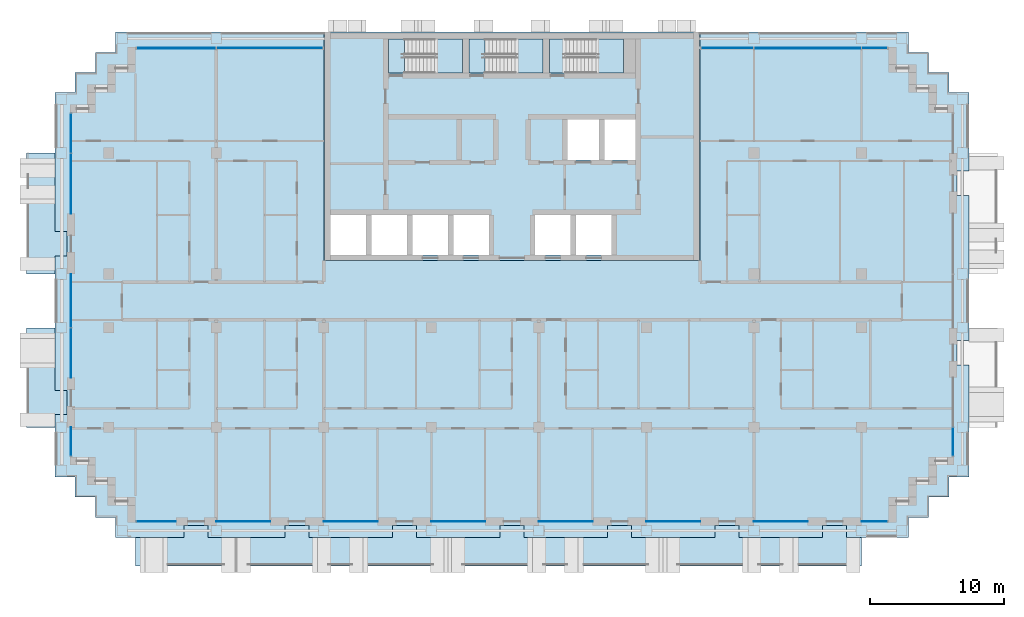
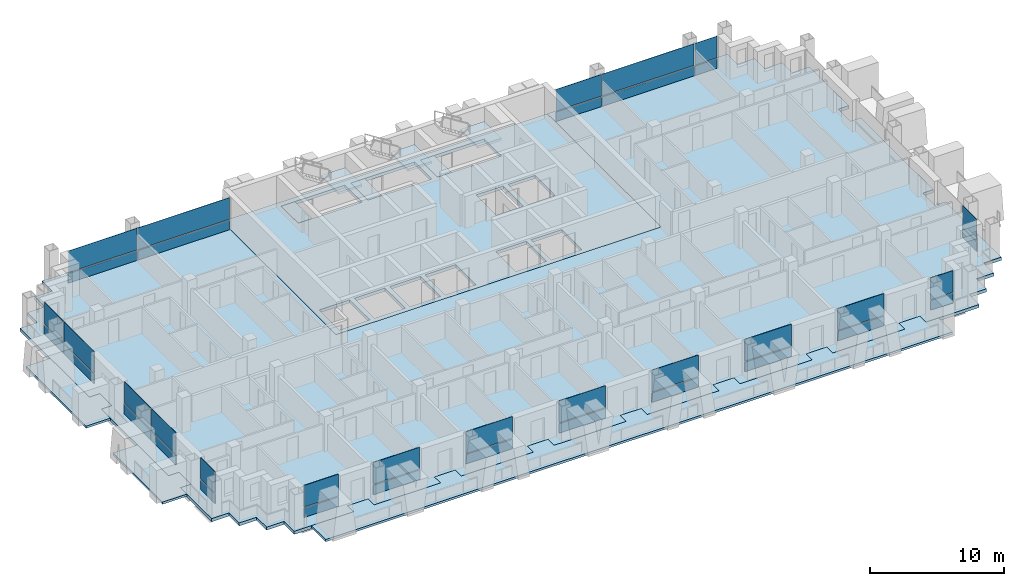
# One storey, part 6 of 18: 38 plates, 11 slabs, 17 elements without a shape of their own.
"""IFC4 building model written with IfcOpenShell, lengths in metres."""

from ifc_helpers import new_model, si_unit, direction, frame, origin, origin_2d, place, context, subcontext, project, spatial, polyline, rectangle, outline, extrude, material, layer, layer_set, type_object, element, aggregate, save


model = new_model("IFC4")

# Units and contexts
model_context = context("Model", 3, precision=1e-05, world=origin(), true_north=direction((0.0, 1.0)))
body_context = subcontext(model_context, "Body", "Model", "MODEL_VIEW")
ifc_project = project(units=[si_unit("LENGTHUNIT", "METRE"), si_unit("AREAUNIT", "SQUARE_METRE"), si_unit("VOLUMEUNIT", "CUBIC_METRE"), si_unit("PLANEANGLEUNIT", "RADIAN"), si_unit("MASSUNIT", "GRAM", prefix="KILO")], contexts=[model_context])

# Site, building, storey
site_placement = place(None, origin())
site = spatial("IfcSite", under=ifc_project, at=site_placement, CompositionType="ELEMENT")
building_placement = place(site_placement, origin())
building = spatial("IfcBuilding", under=site, at=building_placement, Name="Vidyagriha Tower", CompositionType="ELEMENT")
storey_placement = place(building_placement, frame((0.0, 0.0, 123.0)))
storey = spatial("IfcBuildingStorey", under=building, at=storey_placement, Name="L31", CompositionType="ELEMENT", Elevation=123.0)

# Curtain wall, plates
ifc_material_1 = material(Name="Aluminium and glass curtain wall", Category="aluminium")
curtain_wall_type = type_object("IfcCurtainWallType", Name="Dwelling skin unitised curtain wall", PredefinedType="USERDEFINED", material=ifc_material_1)
curtain_wall_1_placement = place(storey_placement, origin())
curtain_wall_1 = element("IfcCurtainWall", 1, at=curtain_wall_1_placement, inside=storey, type_object=curtain_wall_type, Name="CW1 dwelling skin", ObjectType="UNITISED", PredefinedType="USERDEFINED")
ifc_material_2 = material(Name="Glass dark ceramic-fritted spandrel", Category="glass")
ifc_layer_1 = layer(ifc_material_2, 0.0400390625)
ifc_layer_set_1 = layer_set([ifc_layer_1], Name="Glass dark ceramic-fritted spandrel")
plate_type_1 = type_object("IfcPlateType", Name="Ceramic-fritted spandrel panel", PredefinedType="CURTAIN_PANEL", material=ifc_layer_set_1)
plate_1_placement = place(storey_placement, frame((26.982421875, 18.800048828125, 0.0), z_axis=(0.0, 0.0, 1.0), x_axis=(-1.0, 0.0, 0.0)))
plate_1 = element("IfcPlate", 2, at=plate_1_placement, type_object=plate_type_1, Name="CW1 panel 1.1", PredefinedType="CURTAIN_PANEL", context=body_context, shape_type="SweptSolid", body=[
    extrude(rectangle(XDim=1.89501953125, YDim=0.0400390625, at=origin_2d()), origin(), (0.0, 0.0, 1.0), 0.85009765625),
])
plate_2_placement = place(storey_placement, frame((16.017578125, 18.800048828125, 0.0), z_axis=(0.0, 0.0, 1.0), x_axis=(-1.0, 0.0, 0.0)))
plate_2 = element("IfcPlate", 3, at=plate_2_placement, type_object=plate_type_1, Name="CW1 panel 3.1", PredefinedType="CURTAIN_PANEL", context=body_context, shape_type="SweptSolid", body=[
    extrude(rectangle(XDim=3.89501953125, YDim=0.0400390625, at=origin_2d()), origin(), (0.0, 0.0, 1.0), 0.85009765625),
])

# Curtain wall, plate
curtain_wall_2_placement = place(storey_placement, origin())
curtain_wall_2 = element("IfcCurtainWall", 4, at=curtain_wall_2_placement, inside=storey, type_object=curtain_wall_type, Name="CW1 dwelling skin", ObjectType="UNITISED", PredefinedType="USERDEFINED")
plate_3_placement = place(storey_placement, frame((-18.017578125, 18.800048828125, 0.0), z_axis=(0.0, 0.0, 1.0), x_axis=(-1.0, 0.0, 0.0)))
plate_3 = element("IfcPlate", 5, at=plate_3_placement, type_object=plate_type_1, Name="CW1 panel 1.1", PredefinedType="CURTAIN_PANEL", context=body_context, shape_type="SweptSolid", body=[
    extrude(rectangle(XDim=7.89501953125, YDim=0.0400390625, at=origin_2d()), origin(), (0.0, 0.0, 1.0), 0.85009765625),
])

# Curtain wall, plates
curtain_wall_3_placement = place(storey_placement, origin())
curtain_wall_3 = element("IfcCurtainWall", 6, at=curtain_wall_3_placement, inside=storey, type_object=curtain_wall_type, Name="CW1 dwelling skin", ObjectType="UNITISED", PredefinedType="USERDEFINED")
plate_4_placement = place(storey_placement, frame((-32.800048828125, 12.482421875, 0.0), z_axis=(0.0, 0.0, 1.0), x_axis=(0.0, -1.0, 0.0)))
plate_4 = element("IfcPlate", 7, at=plate_4_placement, type_object=plate_type_1, Name="CW1 panel 1.1", PredefinedType="CURTAIN_PANEL", context=body_context, shape_type="SweptSolid", body=[
    extrude(rectangle(XDim=2.89501953125, YDim=0.0400390625, at=origin_2d()), origin(), (0.0, 0.0, 1.0), 0.85009765625),
])
plate_5_placement = place(storey_placement, frame((-32.800048828125, 8.732421875, 0.0), z_axis=(0.0, 0.0, 1.0), x_axis=(0.0, -1.0, 0.0)))
plate_5 = element("IfcPlate", 8, at=plate_5_placement, type_object=plate_type_1, Name="CW1 panel 2.1", PredefinedType="CURTAIN_PANEL", context=body_context, shape_type="SweptSolid", body=[
    extrude(rectangle(XDim=4.465087890625, YDim=0.0400390625, at=origin_2d()), origin(), (0.0, 0.0, 1.0), 0.85009765625),
])

# Curtain wall, plate
curtain_wall_4_placement = place(storey_placement, origin())
curtain_wall_4 = element("IfcCurtainWall", 9, at=curtain_wall_4_placement, inside=storey, type_object=curtain_wall_type, Name="CW1 dwelling skin", ObjectType="UNITISED", PredefinedType="USERDEFINED")
plate_6_placement = place(storey_placement, frame((-32.800048828125, -10.465087890625, 0.0), z_axis=(0.0, 0.0, 1.0), x_axis=(0.0, -1.0, 0.0)))
plate_6 = element("IfcPlate", 10, at=plate_6_placement, type_object=plate_type_1, Name="CW1 panel 1.1", PredefinedType="CURTAIN_PANEL", context=body_context, shape_type="SweptSolid", body=[
    extrude(rectangle(XDim=2.1298828125, YDim=0.0400390625, at=origin_2d()), origin(), (0.0, 0.0, 1.0), 0.85009765625),
])

curtain_wall_5_placement = place(storey_placement, origin())
curtain_wall_5 = element("IfcCurtainWall", 11, at=curtain_wall_5_placement, inside=storey, type_object=curtain_wall_type, Name="CW1 dwelling skin", ObjectType="UNITISED", PredefinedType="USERDEFINED")
plate_7_placement = place(storey_placement, frame((-26.465087890625, -16.39990234375, 0.0)))
plate_7 = element("IfcPlate", 12, at=plate_7_placement, type_object=plate_type_1, Name="CW1 panel 1.1", PredefinedType="CURTAIN_PANEL", context=body_context, shape_type="SweptSolid", body=[
    extrude(rectangle(XDim=2.929931640625, YDim=0.0400390625, at=origin_2d()), origin(), (0.0, 0.0, 1.0), 0.85009765625),
])

curtain_wall_6_placement = place(storey_placement, origin())
curtain_wall_6 = element("IfcCurtainWall", 13, at=curtain_wall_6_placement, inside=storey, type_object=curtain_wall_type, Name="CW1 dwelling skin", ObjectType="UNITISED", PredefinedType="USERDEFINED")
plate_8_placement = place(storey_placement, frame((-12.0, -16.39990234375, 0.0)))
plate_8 = element("IfcPlate", 14, at=plate_8_placement, type_object=plate_type_1, Name="CW1 panel 1.1", PredefinedType="CURTAIN_PANEL", context=body_context, shape_type="SweptSolid", body=[
    extrude(rectangle(XDim=4.0, YDim=0.0400390625, at=origin_2d()), origin(), (0.0, 0.0, 1.0), 0.85009765625),
])

curtain_wall_7_placement = place(storey_placement, origin())
curtain_wall_7 = element("IfcCurtainWall", 15, at=curtain_wall_7_placement, inside=storey, type_object=curtain_wall_type, Name="CW1 dwelling skin", ObjectType="UNITISED", PredefinedType="USERDEFINED")
plate_9_placement = place(storey_placement, frame((4.0, -16.39990234375, 0.0)))
plate_9 = element("IfcPlate", 16, at=plate_9_placement, type_object=plate_type_1, Name="CW1 panel 1.1", PredefinedType="CURTAIN_PANEL", context=body_context, shape_type="SweptSolid", body=[
    extrude(rectangle(XDim=4.0, YDim=0.0400390625, at=origin_2d()), origin(), (0.0, 0.0, 1.0), 0.85009765625),
])

curtain_wall_8_placement = place(storey_placement, origin())
curtain_wall_8 = element("IfcCurtainWall", 17, at=curtain_wall_8_placement, inside=storey, type_object=curtain_wall_type, Name="CW1 dwelling skin", ObjectType="UNITISED", PredefinedType="USERDEFINED")
plate_10_placement = place(storey_placement, frame((20.0, -16.39990234375, 0.0)))
plate_10 = element("IfcPlate", 18, at=plate_10_placement, type_object=plate_type_1, Name="CW1 panel 1.1", PredefinedType="CURTAIN_PANEL", context=body_context, shape_type="SweptSolid", body=[
    extrude(rectangle(XDim=4.0, YDim=0.0400390625, at=origin_2d()), origin(), (0.0, 0.0, 1.0), 0.85009765625),
])

curtain_wall_9_placement = place(storey_placement, origin())
curtain_wall_9 = element("IfcCurtainWall", 19, at=curtain_wall_9_placement, inside=storey, type_object=curtain_wall_type, Name="CW1 dwelling skin", ObjectType="UNITISED", PredefinedType="USERDEFINED")
plate_11_placement = place(storey_placement, frame((26.965087890625, -16.39990234375, 0.0)))
plate_11 = element("IfcPlate", 20, at=plate_11_placement, type_object=plate_type_1, Name="CW1 panel 1.1", PredefinedType="CURTAIN_PANEL", context=body_context, shape_type="SweptSolid", body=[
    extrude(rectangle(XDim=1.929931640625, YDim=0.0400390625, at=origin_2d()), origin(), (0.0, 0.0, 1.0), 0.85009765625),
])

curtain_wall_10_placement = place(storey_placement, origin())
curtain_wall_10 = element("IfcCurtainWall", 21, at=curtain_wall_10_placement, inside=storey, type_object=curtain_wall_type, Name="CW1 dwelling skin", ObjectType="UNITISED", PredefinedType="USERDEFINED")
plate_12_placement = place(storey_placement, frame((32.800048828125, -10.482421875, 0.0), z_axis=(0.0, 0.0, 1.0), x_axis=(0.0, 1.0, 0.0)))
plate_12 = element("IfcPlate", 22, at=plate_12_placement, type_object=plate_type_1, Name="CW1 panel 1.1", PredefinedType="CURTAIN_PANEL", context=body_context, shape_type="SweptSolid", body=[
    extrude(rectangle(XDim=2.094970703125, YDim=0.0400390625, at=origin_2d()), origin(), (0.0, 0.0, 1.0), 0.85009765625),
])

# Slab
ifc_material_3 = material(Name="Concrete C60/75", Category="concrete")
ifc_layer_2 = layer(ifc_material_3, 0.280029296875)
ifc_layer_set_2 = layer_set([ifc_layer_2], Name="Concrete C60/75")
slab_type_1 = type_object("IfcSlabType", Name="Core floor slab 280 mm", PredefinedType="FLOOR", material=ifc_layer_set_2)
slab_1_placement = place(storey_placement, frame((0.0, 0.0, -0.280029296875)))
element("IfcSlab", 23, at=slab_1_placement, inside=storey, type_object=slab_type_1, Name="L31 core floor 1", PredefinedType="FLOOR", context=body_context, shape_type="SweptSolid", body=[
    extrude(outline(polyline([(-14.0, 3.0), (-14.0, 20.0), (14.0, 20.0), (14.0, 3.0), (-14.0, 3.0)]), holes=[polyline([(9.199951171875, 13.5), (6.86669921875, 13.5), (6.86669921875, 10.5), (9.199951171875, 10.5), (9.199951171875, 13.5)]), polyline([(4.0, 19.5), (2.800048828125, 19.5), (2.800048828125, 16.949951171875), (4.0, 16.949951171875), (8.300048828125, 16.949951171875), (8.300048828125, 19.5), (4.0, 19.5)]), polyline([(7.4111328125, 6.39990234375), (4.7666015625, 6.39990234375), (4.7666015625, 3.39990234375), (7.4111328125, 3.39990234375), (7.4111328125, 6.39990234375)]), polyline([(6.466796875, 13.5), (4.13330078125, 13.5), (4.13330078125, 10.5), (6.466796875, 10.5), (6.466796875, 13.5)]), polyline([(1.72216796875, 6.39990234375), (1.72216796875, 3.39990234375), (4.36669921875, 3.39990234375), (4.36669921875, 6.39990234375), (1.72216796875, 6.39990234375)]), polyline([(-2.0, 16.949951171875), (2.300048828125, 16.949951171875), (2.300048828125, 19.5), (-2.0, 19.5), (-3.199951171875, 19.5), (-3.199951171875, 16.949951171875), (-2.0, 16.949951171875)]), polyline([(-1.72216796875, 6.39990234375), (-4.36669921875, 6.39990234375), (-4.36669921875, 3.39990234375), (-1.72216796875, 3.39990234375), (-1.72216796875, 6.39990234375)]), polyline([(-8.0, 19.5), (-9.199951171875, 19.5), (-9.199951171875, 16.949951171875), (-8.0, 16.949951171875), (-3.699951171875, 16.949951171875), (-3.699951171875, 19.5), (-8.0, 19.5)]), polyline([(-4.7666015625, 6.39990234375), (-7.4111328125, 6.39990234375), (-7.4111328125, 3.39990234375), (-4.7666015625, 3.39990234375), (-4.7666015625, 6.39990234375)]), polyline([(-7.81103515625, 6.39990234375), (-10.45556640625, 6.39990234375), (-10.45556640625, 3.39990234375), (-7.81103515625, 3.39990234375), (-7.81103515625, 6.39990234375)]), polyline([(-13.5, 6.39990234375), (-13.5, 3.39990234375), (-10.855712890625, 3.39990234375), (-10.855712890625, 6.39990234375), (-13.5, 6.39990234375)])]), origin(), (0.0, 0.0, 1.0), 0.280029296875),
])

# Plate
ifc_material_4 = material(Name="Glass dark ceramic-fritted", Category="glass")
ifc_layer_3 = layer(ifc_material_4, 0.028076171875)
ifc_layer_set_3 = layer_set([ifc_layer_3], Name="Glass dark ceramic-fritted")
plate_type_2 = type_object("IfcPlateType", Name="Dark ceramic-fritted vision glass panel", PredefinedType="CURTAIN_PANEL", material=ifc_layer_set_3)
plate_13_placement = place(storey_placement, frame((26.982421875, 18.800048828125, 0.9501953125), z_axis=(0.0, 0.0, 1.0), x_axis=(-1.0, 0.0, 0.0)))
plate_13 = element("IfcPlate", 24, at=plate_13_placement, type_object=plate_type_2, Name="CW1 panel 1.2", PredefinedType="CURTAIN_PANEL", context=body_context, shape_type="SweptSolid", body=[
    extrude(rectangle(XDim=1.89501953125, YDim=0.028076171875, at=origin_2d()), origin(), (0.0, 0.0, 1.0), 1.969970703125),
])

plate_14_placement = place(storey_placement, frame((22.0, 18.800048828125, 0.9501953125), z_axis=(0.0, 0.0, 1.0), x_axis=(-1.0, 0.0, 0.0)))
plate_14 = element("IfcPlate", 25, at=plate_14_placement, type_object=plate_type_2, Name="CW1 panel 2.2", PredefinedType="CURTAIN_PANEL", context=body_context, shape_type="SweptSolid", body=[
    extrude(rectangle(XDim=7.929931640625, YDim=0.028076171875, at=origin_2d()), origin(), (0.0, 0.0, 1.0), 1.969970703125),
])

plate_15_placement = place(storey_placement, frame((16.017578125, 18.800048828125, 0.9501953125), z_axis=(0.0, 0.0, 1.0), x_axis=(-1.0, 0.0, 0.0)))
plate_15 = element("IfcPlate", 26, at=plate_15_placement, type_object=plate_type_2, Name="CW1 panel 3.2", PredefinedType="CURTAIN_PANEL", context=body_context, shape_type="SweptSolid", body=[
    extrude(rectangle(XDim=3.89501953125, YDim=0.028076171875, at=origin_2d()), origin(), (0.0, 0.0, 1.0), 1.969970703125),
])

plate_16_placement = place(storey_placement, frame((-18.017578125, 18.800048828125, 0.9501953125), z_axis=(0.0, 0.0, 1.0), x_axis=(-1.0, 0.0, 0.0)))
plate_16 = element("IfcPlate", 27, at=plate_16_placement, type_object=plate_type_2, Name="CW1 panel 1.2", PredefinedType="CURTAIN_PANEL", context=body_context, shape_type="SweptSolid", body=[
    extrude(rectangle(XDim=7.89501953125, YDim=0.028076171875, at=origin_2d()), origin(), (0.0, 0.0, 1.0), 1.969970703125),
])

plate_17_placement = place(storey_placement, frame((-24.982421875, 18.800048828125, 0.9501953125), z_axis=(0.0, 0.0, 1.0), x_axis=(-1.0, 0.0, 0.0)))
plate_17 = element("IfcPlate", 28, at=plate_17_placement, type_object=plate_type_2, Name="CW1 panel 2.2", PredefinedType="CURTAIN_PANEL", context=body_context, shape_type="SweptSolid", body=[
    extrude(rectangle(XDim=5.89501953125, YDim=0.028076171875, at=origin_2d()), origin(), (0.0, 0.0, 1.0), 1.969970703125),
])

plate_18_placement = place(storey_placement, frame((-32.800048828125, 12.482421875, 0.9501953125), z_axis=(0.0, 0.0, 1.0), x_axis=(0.0, -1.0, 0.0)))
plate_18 = element("IfcPlate", 29, at=plate_18_placement, type_object=plate_type_2, Name="CW1 panel 1.2", PredefinedType="CURTAIN_PANEL", context=body_context, shape_type="SweptSolid", body=[
    extrude(rectangle(XDim=2.89501953125, YDim=0.028076171875, at=origin_2d()), origin(), (0.0, 0.0, 1.0), 1.969970703125),
])

plate_19_placement = place(storey_placement, frame((-32.800048828125, 8.732421875, 0.9501953125), z_axis=(0.0, 0.0, 1.0), x_axis=(0.0, -1.0, 0.0)))
plate_19 = element("IfcPlate", 30, at=plate_19_placement, type_object=plate_type_2, Name="CW1 panel 2.2", PredefinedType="CURTAIN_PANEL", context=body_context, shape_type="SweptSolid", body=[
    extrude(rectangle(XDim=4.465087890625, YDim=0.028076171875, at=origin_2d()), origin(), (0.0, 0.0, 1.0), 1.969970703125),
])

aggregate(curtain_wall_3, [plate_4, plate_18, plate_5, plate_19])

# Curtain wall, plates
curtain_wall_11_placement = place(storey_placement, origin())
curtain_wall_11 = element("IfcCurtainWall", 31, at=curtain_wall_11_placement, inside=storey, type_object=curtain_wall_type, Name="CW1 dwelling skin", ObjectType="UNITISED", PredefinedType="USERDEFINED")
plate_20_placement = place(storey_placement, frame((-32.800048828125, 0.017578125, 0.9501953125), z_axis=(0.0, 0.0, 1.0), x_axis=(0.0, -1.0, 0.0)))
plate_20 = element("IfcPlate", 32, at=plate_20_placement, type_object=plate_type_2, Name="CW1 panel 1.2", PredefinedType="CURTAIN_PANEL", context=body_context, shape_type="SweptSolid", body=[
    extrude(rectangle(XDim=3.965087890625, YDim=0.028076171875, at=origin_2d()), origin(), (0.0, 0.0, 1.0), 1.969970703125),
])
plate_21_placement = place(storey_placement, frame((-32.800048828125, -3.867431640625, 0.9501953125), z_axis=(0.0, 0.0, 1.0), x_axis=(0.0, -1.0, 0.0)))
plate_21 = element("IfcPlate", 33, at=plate_21_placement, type_object=plate_type_2, Name="CW1 panel 2.2", PredefinedType="CURTAIN_PANEL", context=body_context, shape_type="SweptSolid", body=[
    extrude(rectangle(XDim=3.6650390625, YDim=0.028076171875, at=origin_2d()), origin(), (0.0, 0.0, 1.0), 1.969970703125),
])

# Plate
plate_22_placement = place(storey_placement, frame((-32.800048828125, -10.465087890625, 0.9501953125), z_axis=(0.0, 0.0, 1.0), x_axis=(0.0, -1.0, 0.0)))
plate_22 = element("IfcPlate", 34, at=plate_22_placement, type_object=plate_type_2, Name="CW1 panel 1.2", PredefinedType="CURTAIN_PANEL", context=body_context, shape_type="SweptSolid", body=[
    extrude(rectangle(XDim=2.1298828125, YDim=0.028076171875, at=origin_2d()), origin(), (0.0, 0.0, 1.0), 1.969970703125),
])

aggregate(curtain_wall_4, [plate_6, plate_22])

plate_23_placement = place(storey_placement, frame((-26.465087890625, -16.39990234375, 0.9501953125)))
plate_23 = element("IfcPlate", 35, at=plate_23_placement, type_object=plate_type_2, Name="CW1 panel 1.2", PredefinedType="CURTAIN_PANEL", context=body_context, shape_type="SweptSolid", body=[
    extrude(rectangle(XDim=2.929931640625, YDim=0.028076171875, at=origin_2d()), origin(), (0.0, 0.0, 1.0), 1.969970703125),
])

aggregate(curtain_wall_5, [plate_7, plate_23])

# Curtain wall, plate
curtain_wall_12_placement = place(storey_placement, origin())
curtain_wall_12 = element("IfcCurtainWall", 36, at=curtain_wall_12_placement, inside=storey, type_object=curtain_wall_type, Name="CW1 dwelling skin", ObjectType="UNITISED", PredefinedType="USERDEFINED")
plate_24_placement = place(storey_placement, frame((-20.0, -16.39990234375, 0.9501953125)))
plate_24 = element("IfcPlate", 37, at=plate_24_placement, type_object=plate_type_2, Name="CW1 panel 1.2", PredefinedType="CURTAIN_PANEL", context=body_context, shape_type="SweptSolid", body=[
    extrude(rectangle(XDim=4.0, YDim=0.028076171875, at=origin_2d()), origin(), (0.0, 0.0, 1.0), 1.969970703125),
])

# Plate
plate_25_placement = place(storey_placement, frame((-12.0, -16.39990234375, 0.9501953125)))
plate_25 = element("IfcPlate", 38, at=plate_25_placement, type_object=plate_type_2, Name="CW1 panel 1.2", PredefinedType="CURTAIN_PANEL", context=body_context, shape_type="SweptSolid", body=[
    extrude(rectangle(XDim=4.0, YDim=0.028076171875, at=origin_2d()), origin(), (0.0, 0.0, 1.0), 1.969970703125),
])

aggregate(curtain_wall_6, [plate_8, plate_25])

# Curtain wall, plate
curtain_wall_13_placement = place(storey_placement, origin())
curtain_wall_13 = element("IfcCurtainWall", 39, at=curtain_wall_13_placement, inside=storey, type_object=curtain_wall_type, Name="CW1 dwelling skin", ObjectType="UNITISED", PredefinedType="USERDEFINED")
plate_26_placement = place(storey_placement, frame((-4.0, -16.39990234375, 0.9501953125)))
plate_26 = element("IfcPlate", 40, at=plate_26_placement, type_object=plate_type_2, Name="CW1 panel 1.2", PredefinedType="CURTAIN_PANEL", context=body_context, shape_type="SweptSolid", body=[
    extrude(rectangle(XDim=4.0, YDim=0.028076171875, at=origin_2d()), origin(), (0.0, 0.0, 1.0), 1.969970703125),
])

# Plate
plate_27_placement = place(storey_placement, frame((4.0, -16.39990234375, 0.9501953125)))
plate_27 = element("IfcPlate", 41, at=plate_27_placement, type_object=plate_type_2, Name="CW1 panel 1.2", PredefinedType="CURTAIN_PANEL", context=body_context, shape_type="SweptSolid", body=[
    extrude(rectangle(XDim=4.0, YDim=0.028076171875, at=origin_2d()), origin(), (0.0, 0.0, 1.0), 1.969970703125),
])

aggregate(curtain_wall_7, [plate_9, plate_27])

# Curtain wall, plate
curtain_wall_14_placement = place(storey_placement, origin())
curtain_wall_14 = element("IfcCurtainWall", 42, at=curtain_wall_14_placement, inside=storey, type_object=curtain_wall_type, Name="CW1 dwelling skin", ObjectType="UNITISED", PredefinedType="USERDEFINED")
plate_28_placement = place(storey_placement, frame((12.0, -16.39990234375, 0.9501953125)))
plate_28 = element("IfcPlate", 43, at=plate_28_placement, type_object=plate_type_2, Name="CW1 panel 1.2", PredefinedType="CURTAIN_PANEL", context=body_context, shape_type="SweptSolid", body=[
    extrude(rectangle(XDim=4.0, YDim=0.028076171875, at=origin_2d()), origin(), (0.0, 0.0, 1.0), 1.969970703125),
])

# Plate
plate_29_placement = place(storey_placement, frame((20.0, -16.39990234375, 0.9501953125)))
plate_29 = element("IfcPlate", 44, at=plate_29_placement, type_object=plate_type_2, Name="CW1 panel 1.2", PredefinedType="CURTAIN_PANEL", context=body_context, shape_type="SweptSolid", body=[
    extrude(rectangle(XDim=4.0, YDim=0.028076171875, at=origin_2d()), origin(), (0.0, 0.0, 1.0), 1.969970703125),
])

aggregate(curtain_wall_8, [plate_10, plate_29])

plate_30_placement = place(storey_placement, frame((26.965087890625, -16.39990234375, 0.9501953125)))
plate_30 = element("IfcPlate", 45, at=plate_30_placement, type_object=plate_type_2, Name="CW1 panel 1.2", PredefinedType="CURTAIN_PANEL", context=body_context, shape_type="SweptSolid", body=[
    extrude(rectangle(XDim=1.929931640625, YDim=0.028076171875, at=origin_2d()), origin(), (0.0, 0.0, 1.0), 1.969970703125),
])

aggregate(curtain_wall_9, [plate_11, plate_30])

plate_31_placement = place(storey_placement, frame((32.800048828125, -10.482421875, 0.9501953125), z_axis=(0.0, 0.0, 1.0), x_axis=(0.0, 1.0, 0.0)))
plate_31 = element("IfcPlate", 46, at=plate_31_placement, type_object=plate_type_2, Name="CW1 panel 1.2", PredefinedType="CURTAIN_PANEL", context=body_context, shape_type="SweptSolid", body=[
    extrude(rectangle(XDim=2.094970703125, YDim=0.028076171875, at=origin_2d()), origin(), (0.0, 0.0, 1.0), 1.969970703125),
])

aggregate(curtain_wall_10, [plate_12, plate_31])

# Slabs
ifc_material_5 = material(Name="Concrete C40/50", Category="concrete")
ifc_layer_4 = layer(ifc_material_5, 0.280029296875)
ifc_layer_set_4 = layer_set([ifc_layer_4], Name="Concrete C40/50")
slab_type_2 = type_object("IfcSlabType", Name="Exit stair floor landing 280 mm", PredefinedType="LANDING", material=ifc_layer_set_4)
slab_2_placement = place(storey_placement, frame((0.0, 0.0, -0.280029296875)))
element("IfcSlab", 47, at=slab_2_placement, inside=storey, type_object=slab_type_2, Name="ST1 floor landing L31", PredefinedType="LANDING", context=body_context, shape_type="SweptSolid", body=[
    extrude(outline(polyline([(-9.199951171875, 16.949951171875), (-8.0, 16.949951171875), (-8.0, 19.5), (-9.199951171875, 19.5), (-9.199951171875, 16.949951171875)])), origin(), (0.0, 0.0, 1.0), 0.280029296875),
])
slab_3_placement = place(storey_placement, frame((0.0, 0.0, -0.280029296875)))
element("IfcSlab", 48, at=slab_3_placement, inside=storey, type_object=slab_type_2, Name="ST2 floor landing L31", PredefinedType="LANDING", context=body_context, shape_type="SweptSolid", body=[
    extrude(outline(polyline([(-3.199951171875, 16.949951171875), (-2.0, 16.949951171875), (-2.0, 19.5), (-3.199951171875, 19.5), (-3.199951171875, 16.949951171875)])), origin(), (0.0, 0.0, 1.0), 0.280029296875),
])
slab_4_placement = place(storey_placement, frame((0.0, 0.0, -0.280029296875)))
element("IfcSlab", 49, at=slab_4_placement, inside=storey, type_object=slab_type_2, Name="ST3 floor landing L31", PredefinedType="LANDING", context=body_context, shape_type="SweptSolid", body=[
    extrude(outline(polyline([(2.800048828125, 16.949951171875), (4.0, 16.949951171875), (4.0, 19.5), (2.800048828125, 19.5), (2.800048828125, 16.949951171875)])), origin(), (0.0, 0.0, 1.0), 0.280029296875),
])

# Stair, slab
ifc_material_6 = material(Name="Concrete C40/50", Category="concrete")
stair_type = type_object("IfcStairType", Name="Exit stair, half-turn, precast flights", PredefinedType="HALF_TURN_STAIR", material=ifc_material_6)
stair_1_placement = place(storey_placement, origin())
stair_1 = element("IfcStair", 50, at=stair_1_placement, inside=storey, type_object=stair_type, Name="L31 Exit Stair ST1", PredefinedType="HALF_TURN_STAIR")
ifc_material_7 = material(Name="Concrete C40/50", Category="concrete")
ifc_layer_5 = layer(ifc_material_7, 0.199951171875)
ifc_layer_set_5 = layer_set([ifc_layer_5], Name="Concrete C40/50")
slab_type_3 = type_object("IfcSlabType", Name="Exit stair landing 200 mm", PredefinedType="LANDING", material=ifc_layer_set_5)
slab_5_placement = place(storey_placement, frame((0.0, 0.0, 1.39990234375)))
slab_5 = element("IfcSlab", 51, at=slab_5_placement, type_object=slab_type_3, Name="ST1 landing 1", PredefinedType="LANDING", context=body_context, shape_type="SweptSolid", body=[
    extrude(outline(polyline([(-5.760009765625, 16.949951171875), (-3.699951171875, 16.949951171875), (-3.699951171875, 19.5), (-5.760009765625, 19.5), (-5.760009765625, 16.949951171875)])), origin(), (0.0, 0.0, 1.0), 0.2001953125),
])
aggregate(stair_1, [slab_5])

stair_2_placement = place(storey_placement, origin())
stair_2 = element("IfcStair", 52, at=stair_2_placement, inside=storey, type_object=stair_type, Name="L31 Exit Stair ST2", PredefinedType="HALF_TURN_STAIR")
slab_6_placement = place(storey_placement, frame((0.0, 0.0, 1.39990234375)))
slab_6 = element("IfcSlab", 53, at=slab_6_placement, type_object=slab_type_3, Name="ST2 landing 1", PredefinedType="LANDING", context=body_context, shape_type="SweptSolid", body=[
    extrude(outline(polyline([(0.239990234375, 16.949951171875), (2.300048828125, 16.949951171875), (2.300048828125, 19.5), (0.239990234375, 19.5), (0.239990234375, 16.949951171875)])), origin(), (0.0, 0.0, 1.0), 0.2001953125),
])
aggregate(stair_2, [slab_6])

stair_3_placement = place(storey_placement, origin())
stair_3 = element("IfcStair", 54, at=stair_3_placement, inside=storey, type_object=stair_type, Name="L31 Exit Stair ST3", PredefinedType="HALF_TURN_STAIR")
slab_7_placement = place(storey_placement, frame((0.0, 0.0, 1.39990234375)))
slab_7 = element("IfcSlab", 55, at=slab_7_placement, type_object=slab_type_3, Name="ST3 landing 1", PredefinedType="LANDING", context=body_context, shape_type="SweptSolid", body=[
    extrude(outline(polyline([(6.239990234375, 16.949951171875), (8.300048828125, 16.949951171875), (8.300048828125, 19.5), (6.239990234375, 19.5), (6.239990234375, 16.949951171875)])), origin(), (0.0, 0.0, 1.0), 0.2001953125),
])
aggregate(stair_3, [slab_7])

# Plate
ifc_material_8 = material(Name="Aluminium black anodised", Category="aluminium")
ifc_layer_6 = layer(ifc_material_8, 0.06005859375)
ifc_layer_set_6 = layer_set([ifc_layer_6], Name="Aluminium black anodised")
plate_type_3 = type_object("IfcPlateType", Name="Operable black-metal vent panel", PredefinedType="CURTAIN_PANEL", material=ifc_layer_set_6)
plate_32_placement = place(storey_placement, frame((22.0, 18.800048828125, 0.0), z_axis=(0.0, 0.0, 1.0), x_axis=(-1.0, 0.0, 0.0)))
plate_32 = element("IfcPlate", 56, at=plate_32_placement, type_object=plate_type_3, Name="CW1 panel 2.1", PredefinedType="CURTAIN_PANEL", context=body_context, shape_type="SweptSolid", body=[
    extrude(rectangle(XDim=7.929931640625, YDim=0.06005859375, at=origin_2d()), origin(), (0.0, 0.0, 1.0), 0.85009765625),
])

aggregate(curtain_wall_1, [plate_1, plate_13, plate_32, plate_14, plate_2, plate_15])

plate_33_placement = place(storey_placement, frame((-24.982421875, 18.800048828125, 0.0), z_axis=(0.0, 0.0, 1.0), x_axis=(-1.0, 0.0, 0.0)))
plate_33 = element("IfcPlate", 57, at=plate_33_placement, type_object=plate_type_3, Name="CW1 panel 2.1", PredefinedType="CURTAIN_PANEL", context=body_context, shape_type="SweptSolid", body=[
    extrude(rectangle(XDim=5.89501953125, YDim=0.06005859375, at=origin_2d()), origin(), (0.0, 0.0, 1.0), 0.85009765625),
])

aggregate(curtain_wall_2, [plate_3, plate_16, plate_33, plate_17])

plate_34_placement = place(storey_placement, frame((-32.800048828125, 0.017578125, 0.0), z_axis=(0.0, 0.0, 1.0), x_axis=(0.0, -1.0, 0.0)))
plate_34 = element("IfcPlate", 58, at=plate_34_placement, type_object=plate_type_3, Name="CW1 panel 1.1", PredefinedType="CURTAIN_PANEL", context=body_context, shape_type="SweptSolid", body=[
    extrude(rectangle(XDim=3.965087890625, YDim=0.06005859375, at=origin_2d()), origin(), (0.0, 0.0, 1.0), 0.85009765625),
])

plate_35_placement = place(storey_placement, frame((-32.800048828125, -3.867431640625, 0.0), z_axis=(0.0, 0.0, 1.0), x_axis=(0.0, -1.0, 0.0)))
plate_35 = element("IfcPlate", 59, at=plate_35_placement, type_object=plate_type_3, Name="CW1 panel 2.1", PredefinedType="CURTAIN_PANEL", context=body_context, shape_type="SweptSolid", body=[
    extrude(rectangle(XDim=3.6650390625, YDim=0.06005859375, at=origin_2d()), origin(), (0.0, 0.0, 1.0), 0.85009765625),
])

aggregate(curtain_wall_11, [plate_34, plate_20, plate_35, plate_21])

plate_36_placement = place(storey_placement, frame((-20.0, -16.39990234375, 0.0)))
plate_36 = element("IfcPlate", 60, at=plate_36_placement, type_object=plate_type_3, Name="CW1 panel 1.1", PredefinedType="CURTAIN_PANEL", context=body_context, shape_type="SweptSolid", body=[
    extrude(rectangle(XDim=4.0, YDim=0.06005859375, at=origin_2d()), origin(), (0.0, 0.0, 1.0), 0.85009765625),
])

aggregate(curtain_wall_12, [plate_36, plate_24])

plate_37_placement = place(storey_placement, frame((-4.0, -16.39990234375, 0.0)))
plate_37 = element("IfcPlate", 61, at=plate_37_placement, type_object=plate_type_3, Name="CW1 panel 1.1", PredefinedType="CURTAIN_PANEL", context=body_context, shape_type="SweptSolid", body=[
    extrude(rectangle(XDim=4.0, YDim=0.06005859375, at=origin_2d()), origin(), (0.0, 0.0, 1.0), 0.85009765625),
])

aggregate(curtain_wall_13, [plate_37, plate_26])

plate_38_placement = place(storey_placement, frame((12.0, -16.39990234375, 0.0)))
plate_38 = element("IfcPlate", 62, at=plate_38_placement, type_object=plate_type_3, Name="CW1 panel 1.1", PredefinedType="CURTAIN_PANEL", context=body_context, shape_type="SweptSolid", body=[
    extrude(rectangle(XDim=4.0, YDim=0.06005859375, at=origin_2d()), origin(), (0.0, 0.0, 1.0), 0.85009765625),
])

aggregate(curtain_wall_14, [plate_38, plate_28])

# Slabs
ifc_material_9 = material(Name="Concrete C50/60", Category="concrete")
ifc_layer_7 = layer(ifc_material_9, 0.280029296875)
ifc_layer_set_7 = layer_set([ifc_layer_7], Name="Concrete C50/60")
slab_type_4 = type_object("IfcSlabType", Name="Post-tensioned flat plate 280", PredefinedType="FLOOR", material=ifc_layer_set_7)
slab_8_placement = place(storey_placement, frame((0.0, 0.0, -0.280029296875)))
element("IfcSlab", 63, at=slab_8_placement, inside=storey, type_object=slab_type_4, Name="st-slab-L31-1", PredefinedType="FLOOR", context=body_context, shape_type="SweptSolid", body=[
    extrude(outline(polyline([(32.5, -14.60009765625), (31.0, -14.60009765625), (31.0, -16.10009765625), (29.5, -16.10009765625), (29.5, -17.60009765625), (24.89990234375, -17.60009765625), (24.89990234375, -16.699951171875), (23.10009765625, -16.699951171875), (23.10009765625, -17.60009765625), (16.89990234375, -17.60009765625), (16.89990234375, -16.699951171875), (15.10009765625, -16.699951171875), (15.10009765625, -17.60009765625), (8.89990234375, -17.60009765625), (8.89990234375, -16.699951171875), (7.10009765625, -16.699951171875), (7.10009765625, -17.60009765625), (0.89990234375, -17.60009765625), (0.89990234375, -16.699951171875), (-0.89990234375, -16.699951171875), (-0.89990234375, -17.60009765625), (-7.10009765625, -17.60009765625), (-7.10009765625, -16.699951171875), (-8.89990234375, -16.699951171875), (-8.89990234375, -17.60009765625), (-15.10009765625, -17.60009765625), (-15.10009765625, -16.699951171875), (-16.89990234375, -16.699951171875), (-16.89990234375, -17.60009765625), (-22.60009765625, -17.60009765625), (-22.60009765625, -16.699951171875), (-24.39990234375, -16.699951171875), (-24.39990234375, -17.60009765625), (-29.5, -17.60009765625), (-29.5, -16.10009765625), (-31.0, -16.10009765625), (-31.0, -14.60009765625), (-32.5, -14.60009765625), (-32.5, -13.10009765625), (-34.0, -13.10009765625), (-34.0, -8.449951171875), (-33.10009765625, -8.449951171875), (-33.10009765625, -6.64990234375), (-34.0, -6.64990234375), (-34.0, 3.35009765625), (-33.10009765625, 3.35009765625), (-33.10009765625, 5.14990234375), (-34.0, 5.14990234375), (-34.0, 15.5), (-32.5, 15.5), (-32.5, 17.0), (-31.0, 17.0), (-31.0, 18.5), (-29.5, 18.5), (-29.5, 20.0), (-14.0, 20.0), (-14.0, 3.0), (14.0, 3.0), (14.0, 20.0), (29.5, 20.0), (29.5, 18.5), (31.0, 18.5), (31.0, 17.0), (32.5, 17.0), (32.5, 15.5), (34.0, 15.5), (34.0, 9.64990234375), (33.10009765625, 9.64990234375), (33.10009765625, 7.85009765625), (34.0, 7.85009765625), (34.0, -2.949951171875), (33.10009765625, -2.949951171875), (33.10009765625, -4.75), (34.0, -4.75), (34.0, -13.10009765625), (32.5, -13.10009765625), (32.5, -14.60009765625)])), origin(), (0.0, 0.0, 1.0), 0.280029296875),
])
ifc_material_10 = material(Name="Precast concrete C40/50", Category="concrete")
ifc_layer_8 = layer(ifc_material_10, 0.199951171875)
ifc_layer_set_8 = layer_set([ifc_layer_8], Name="Precast concrete C40/50")
slab_type_5 = type_object("IfcSlabType", Name="Precast balcony slab 200", PredefinedType="USERDEFINED", material=ifc_layer_set_8)
slab_9_placement = place(storey_placement, frame((0.0, 0.0, -0.199951171875)))
element("IfcSlab", 64, at=slab_9_placement, inside=storey, type_object=slab_type_5, Name="Balcony slab L31 R16.1-1", ObjectType="BALCONY", PredefinedType="USERDEFINED", context=body_context, shape_type="SweptSolid", body=[
    extrude(outline(polyline([(-33.10009765625, 3.35009765625), (-33.10009765625, 5.14990234375), (-34.0, 5.14990234375), (-34.0, 11.0), (-36.10009765625, 11.0), (-36.10009765625, 2.0), (-34.0, 2.0), (-34.0, 3.35009765625), (-33.10009765625, 3.35009765625)])), origin(), (0.0, 0.0, 1.0), 0.199951171875),
])
slab_10_placement = place(storey_placement, frame((0.0, 0.0, -0.199951171875)))
element("IfcSlab", 65, at=slab_10_placement, inside=storey, type_object=slab_type_5, Name="Balcony slab L31 R16.2-2", ObjectType="BALCONY", PredefinedType="USERDEFINED", context=body_context, shape_type="SweptSolid", body=[
    extrude(outline(polyline([(-33.10009765625, -8.449951171875), (-33.10009765625, -6.64990234375), (-34.0, -6.64990234375), (-34.0, -2.0), (-36.10009765625, -2.0), (-36.10009765625, -9.39990234375), (-34.0, -9.39990234375), (-34.0, -8.449951171875), (-33.10009765625, -8.449951171875)])), origin(), (0.0, 0.0, 1.0), 0.199951171875),
])
slab_11_placement = place(storey_placement, frame((0.0, 0.0, -0.199951171875)))
element("IfcSlab", 66, at=slab_11_placement, inside=storey, type_object=slab_type_5, Name="Balcony slab L31 R23.1-7", ObjectType="BALCONY", PredefinedType="USERDEFINED", context=body_context, shape_type="SweptSolid", body=[
    extrude(outline(polyline([(-22.60009765625, -16.699951171875), (-24.39990234375, -16.699951171875), (-24.39990234375, -17.60009765625), (-28.0, -17.60009765625), (-28.0, -19.699951171875), (26.0, -19.699951171875), (26.0, -17.60009765625), (24.89990234375, -17.60009765625), (24.89990234375, -16.699951171875), (23.10009765625, -16.699951171875), (23.10009765625, -17.60009765625), (16.89990234375, -17.60009765625), (16.89990234375, -16.699951171875), (15.10009765625, -16.699951171875), (15.10009765625, -17.60009765625), (8.89990234375, -17.60009765625), (8.89990234375, -16.699951171875), (7.10009765625, -16.699951171875), (7.10009765625, -17.60009765625), (0.89990234375, -17.60009765625), (0.89990234375, -16.699951171875), (-0.89990234375, -16.699951171875), (-0.89990234375, -17.60009765625), (-7.10009765625, -17.60009765625), (-7.10009765625, -16.699951171875), (-8.89990234375, -16.699951171875), (-8.89990234375, -17.60009765625), (-15.10009765625, -17.60009765625), (-15.10009765625, -16.699951171875), (-16.89990234375, -16.699951171875), (-16.89990234375, -17.60009765625), (-22.60009765625, -17.60009765625), (-22.60009765625, -16.699951171875)])), origin(), (0.0, 0.0, 1.0), 0.199951171875),
])

save(model, "model.ifc")
